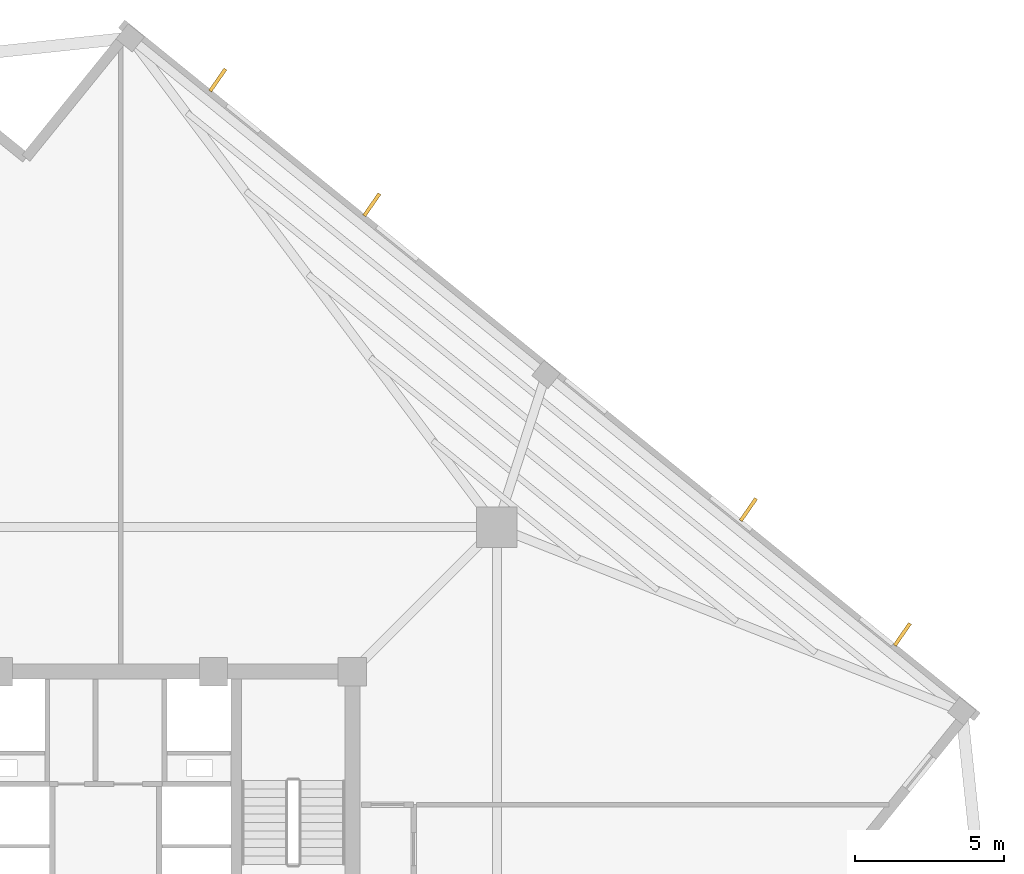
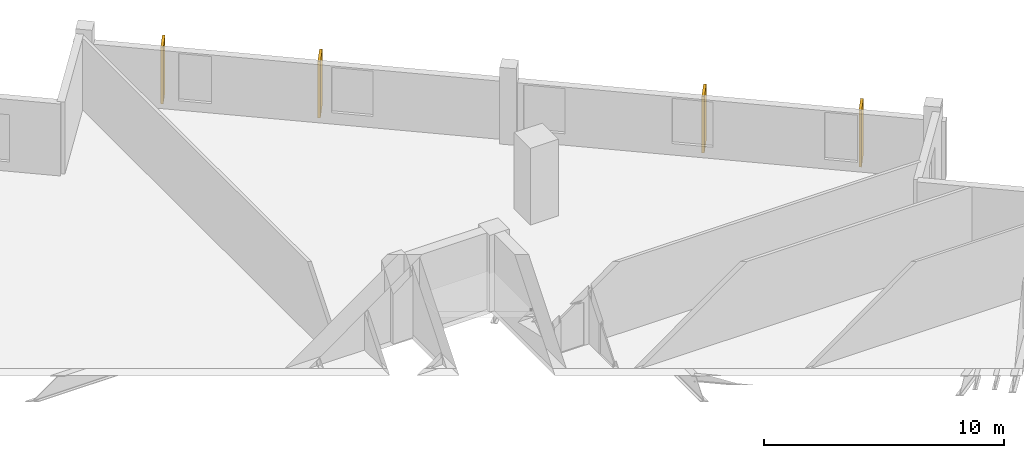
# One storey, part 9 of 9: 4 coverings.
"""IFC4 building model written with IfcOpenShell, lengths in metres."""

from ifc_helpers import new_model, si_unit, direction, frame, origin, origin_2d, place, context, subcontext, project, spatial, rectangle, extrude, source, transform, mapped, material, layer, layer_set, type_object, element, save


model = new_model("IFC4")

# Units and contexts
model_context = context("Model", 3, precision=1e-05, world=origin(), true_north=direction((0.0, 1.0)))
body_context = subcontext(model_context, "Body", "Model", "MODEL_VIEW")
ifc_project = project(units=[si_unit("LENGTHUNIT", "METRE"), si_unit("AREAUNIT", "SQUARE_METRE"), si_unit("VOLUMEUNIT", "CUBIC_METRE"), si_unit("PLANEANGLEUNIT", "RADIAN"), si_unit("MASSUNIT", "GRAM", prefix="KILO"), si_unit("THERMODYNAMICTEMPERATUREUNIT", "KELVIN")], contexts=[model_context])

# Site, building, storey
site_placement = place(None, origin())
site = spatial("IfcSite", under=ifc_project, at=site_placement, CompositionType="ELEMENT")
building_placement = place(site_placement, origin())
building = spatial("IfcBuilding", under=site, at=building_placement, Name="Kosmvard Interchange Tower", CompositionType="ELEMENT")
storey_placement = place(building_placement, frame((0.0, 0.0, 209.5)))
storey = spatial("IfcBuildingStorey", under=building, at=storey_placement, Name="L50", CompositionType="ELEMENT", Elevation=209.5)

# Coverings
ifc_material = material(Name="Architectural anodised aluminium", Category="aluminium")
ifc_layer = layer(ifc_material, 0.1201171875, Name="Architectural anodised aluminium")
ifc_layer_set = layer_set([ifc_layer], Name="Architectural anodised aluminium")
covering_type = type_object("IfcCoveringType", Name="Rotating Vertical Sun-Breaker Fin 900x120 Aluminium", PredefinedType="CLADDING", material=ifc_layer_set)
shared_shape = source(origin(), body_context, "Body", "SweptSolid", [
    extrude(rectangle(XDim=0.89990234375, YDim=0.1201171875, at=origin_2d()), origin(), (0.0, 0.0, 1.0), 2.8798828125),
])
for number, where, z_axis, x_axis, name in (
    (1, (26.650146484375, 9.494384765625, 0.0400390625), (0.0, 0.0, 1.0), (0.569566471151, 0.821945274906, 0.0), "L50 Rotating Vertical Sun-Breaker Fin 05"),
    (2, (21.49658203125, 13.66748046875, 0.0400390625), (0.0, 0.0, 1.0), (0.569566471151, 0.821945274906, 0.0), "L50 Rotating Vertical Sun-Breaker Fin 06"),
    (3, (8.8994140625, 23.86865234375, 0.0400390625), (0.0, 0.0, 1.0), (0.569566471151, 0.821945274906, 0.0), "L50 Rotating Vertical Sun-Breaker Fin 07"),
    (4, (3.74609375, 28.041748046875, 0.0400390625), (0.0, 0.0, 1.0), (0.569566471151, 0.821945274906, 0.0), "L50 Rotating Vertical Sun-Breaker Fin 08"),
):
    element("IfcCovering", number, at=place(storey_placement, frame(where, z_axis=z_axis, x_axis=x_axis)), inside=storey, type_object=covering_type, Name=name, PredefinedType="CLADDING", context=body_context, shape_type="MappedRepresentation", body=[
        mapped(shared_shape, transform((0.0, 0.0, 0.0), scale=1.0)),
    ])

save(model, "model.ifc")
